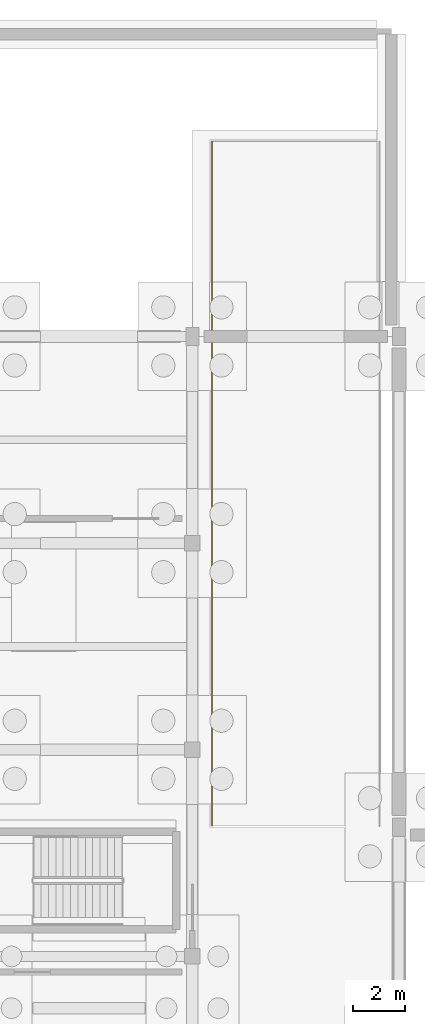
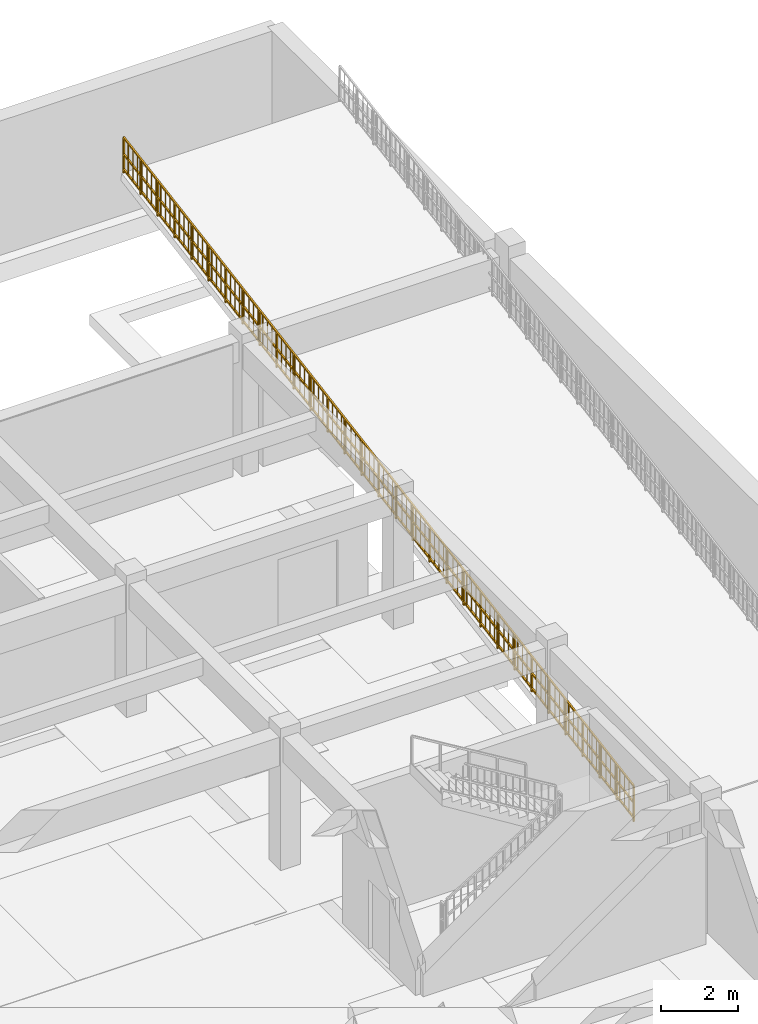
# One storey, part 9 of 11: 1 railing.
"""IFC4 building model written with IfcOpenShell, lengths in metres."""

from ifc_helpers import new_model, si_unit, direction, frame, origin, origin_2d, place, context, subcontext, project, spatial, rectangle, extrude, material, layer, layer_set, type_object, element, save


model = new_model("IFC4")

# Units and contexts
model_context = context("Model", 3, precision=1e-05, world=origin(), true_north=direction((0.0, 1.0)))
body_context = subcontext(model_context, "Body", "Model", "MODEL_VIEW")
ifc_project = project(units=[si_unit("LENGTHUNIT", "METRE"), si_unit("AREAUNIT", "SQUARE_METRE"), si_unit("VOLUMEUNIT", "CUBIC_METRE"), si_unit("PLANEANGLEUNIT", "RADIAN"), si_unit("MASSUNIT", "GRAM", prefix="KILO")], contexts=[model_context])

# Site, building, storey
site_placement = place(None, origin())
site = spatial("IfcSite", under=ifc_project, at=site_placement, CompositionType="ELEMENT")
building_placement = place(site_placement, origin())
building = spatial("IfcBuilding", under=site, at=building_placement, Name="Serraluz Foothill Cableway Terminal", CompositionType="ELEMENT")
storey_placement = place(building_placement, frame((0.0, 0.0, -4.5)))
storey = spatial("IfcBuildingStorey", under=building, at=storey_placement, Name="B1", CompositionType="ELEMENT", Elevation=-4.5)

# Railing
ifc_material = material(Name="Steel ASTM A572 Grade 50", Category="steel")
ifc_layer = layer(ifc_material, 0.054931640625, Name="Steel ASTM A572 Grade 50", Category="steel")
ifc_layer_set = layer_set([ifc_layer], Name="Steel ASTM A572 Grade 50")
railing_type = type_object("IfcRailingType", Name="TYP-RL-GRD-1150", PredefinedType="GUARDRAIL", material=ifc_layer_set)
railing_placement = place(storey_placement, frame((104.760009765625, 85.050048828125, 0.0)))
element("IfcRailing", 1, at=railing_placement, inside=storey, type_object=railing_type, Name="GUARDRAIL GRD-B1-RMP-W", PredefinedType="GUARDRAIL", context=body_context, shape_type="SweptSolid", body=[
    extrude(rectangle(XDim=0.048095703125, YDim=0.048095703125, at=origin_2d()), frame((0.0, 0.0, 1.1259765625), z_axis=(0.0, 0.985888544643, 0.167403039228), x_axis=(-1.0, 0.0, 0.0)), (0.0, 0.0, 1.0), 2.687744140625),
    extrude(rectangle(XDim=0.048095703125, YDim=0.048095703125, at=origin_2d()), frame((0.0, 0.0, 0.597900390625), z_axis=(0.0, 0.985888544643, 0.167403039228), x_axis=(-1.0, 0.0, 0.0)), (0.0, 0.0, 1.0), 2.687744140625),
    extrude(rectangle(XDim=0.048095703125, YDim=0.048095703125, at=origin_2d()), frame((0.0, 0.0, 0.1201171875), z_axis=(0.0, 0.985888544643, 0.167403039228), x_axis=(-1.0, 0.0, 0.0)), (0.0, 0.0, 1.0), 2.687744140625),
    extrude(rectangle(XDim=0.02001953125, YDim=0.02001953125, at=origin_2d()), frame((0.0, 0.240966796875, 0.160888671875)), (0.0, 0.0, 1.0), 0.981689453125),
    extrude(rectangle(XDim=0.02001953125, YDim=0.02001953125, at=origin_2d()), frame((0.0, 0.481689453125, 0.201904296875)), (0.0, 0.0, 1.0), 0.981689453125),
    extrude(rectangle(XDim=0.02001953125, YDim=0.02001953125, at=origin_2d()), frame((0.0, 0.72265625, 0.24267578125)), (0.0, 0.0, 1.0), 0.981689453125),
    extrude(rectangle(XDim=0.02001953125, YDim=0.02001953125, at=origin_2d()), frame((0.0, 0.963623046875, 0.28369140625)), (0.0, 0.0, 1.0), 0.981689453125),
    extrude(rectangle(XDim=0.02001953125, YDim=0.02001953125, at=origin_2d()), frame((0.0, 1.20458984375, 0.324462890625)), (0.0, 0.0, 1.0), 0.981689453125),
    extrude(rectangle(XDim=0.02001953125, YDim=0.02001953125, at=origin_2d()), frame((0.0, 1.4453125, 0.365478515625)), (0.0, 0.0, 1.0), 0.981689453125),
    extrude(rectangle(XDim=0.02001953125, YDim=0.02001953125, at=origin_2d()), frame((0.0, 1.686279296875, 0.40625)), (0.0, 0.0, 1.0), 0.981689453125),
    extrude(rectangle(XDim=0.02001953125, YDim=0.02001953125, at=origin_2d()), frame((0.0, 1.92724609375, 0.447265625)), (0.0, 0.0, 1.0), 0.981689453125),
    extrude(rectangle(XDim=0.02001953125, YDim=0.02001953125, at=origin_2d()), frame((0.0, 2.168212890625, 0.488037109375)), (0.0, 0.0, 1.0), 0.981689453125),
    extrude(rectangle(XDim=0.02001953125, YDim=0.02001953125, at=origin_2d()), frame((0.0, 2.408935546875, 0.529052734375)), (0.0, 0.0, 1.0), 0.981689453125),
    extrude(rectangle(XDim=0.048095703125, YDim=0.048095703125, at=origin_2d()), frame((0.0, 2.64990234375, 1.57568359375), z_axis=(0.0, 0.985891089751, 0.1673880496), x_axis=(-1.0, 0.0, 0.0)), (0.0, 0.0, 1.0), 2.68798828125),
    extrude(rectangle(XDim=0.048095703125, YDim=0.048095703125, at=origin_2d()), frame((0.0, 2.64990234375, 1.0478515625), z_axis=(0.0, 0.985891089751, 0.1673880496), x_axis=(-1.0, 0.0, 0.0)), (0.0, 0.0, 1.0), 2.68798828125),
    extrude(rectangle(XDim=0.048095703125, YDim=0.048095703125, at=origin_2d()), frame((0.0, 2.64990234375, 0.570068359375), z_axis=(0.0, 0.985891089751, 0.1673880496), x_axis=(-1.0, 0.0, 0.0)), (0.0, 0.0, 1.0), 2.68798828125),
    extrude(rectangle(XDim=0.02001953125, YDim=0.02001953125, at=origin_2d()), frame((0.0, 2.890869140625, 0.61083984375)), (0.0, 0.0, 1.0), 0.981689453125),
    extrude(rectangle(XDim=0.02001953125, YDim=0.02001953125, at=origin_2d()), frame((0.0, 3.1318359375, 0.65185546875)), (0.0, 0.0, 1.0), 0.981689453125),
    extrude(rectangle(XDim=0.02001953125, YDim=0.02001953125, at=origin_2d()), frame((0.0, 3.37255859375, 0.692626953125)), (0.0, 0.0, 1.0), 0.981689453125),
    extrude(rectangle(XDim=0.02001953125, YDim=0.02001953125, at=origin_2d()), frame((0.0, 3.613525390625, 0.733642578125)), (0.0, 0.0, 1.0), 0.981689453125),
    extrude(rectangle(XDim=0.02001953125, YDim=0.02001953125, at=origin_2d()), frame((0.0, 3.8544921875, 0.7744140625)), (0.0, 0.0, 1.0), 0.981689453125),
    extrude(rectangle(XDim=0.02001953125, YDim=0.02001953125, at=origin_2d()), frame((0.0, 4.095458984375, 0.8154296875)), (0.0, 0.0, 1.0), 0.981689453125),
    extrude(rectangle(XDim=0.02001953125, YDim=0.02001953125, at=origin_2d()), frame((0.0, 4.33642578125, 0.856201171875)), (0.0, 0.0, 1.0), 0.981689453125),
    extrude(rectangle(XDim=0.02001953125, YDim=0.02001953125, at=origin_2d()), frame((0.0, 4.577392578125, 0.897216796875)), (0.0, 0.0, 1.0), 0.981689453125),
    extrude(rectangle(XDim=0.02001953125, YDim=0.02001953125, at=origin_2d()), frame((0.0, 4.818115234375, 0.93798828125)), (0.0, 0.0, 1.0), 0.981689453125),
    extrude(rectangle(XDim=0.02001953125, YDim=0.02001953125, at=origin_2d()), frame((0.0, 5.05908203125, 0.97900390625)), (0.0, 0.0, 1.0), 0.981689453125),
    extrude(rectangle(XDim=0.048095703125, YDim=0.048095703125, at=origin_2d()), frame((0.0, 5.300048828125, 2.02587890625), z_axis=(0.0, 0.985873549967, 0.16749132358), x_axis=(-1.0, 0.0, 0.0)), (0.0, 0.0, 1.0), 2.68798828125),
    extrude(rectangle(XDim=0.048095703125, YDim=0.048095703125, at=origin_2d()), frame((0.0, 5.300048828125, 1.497802734375), z_axis=(0.0, 0.985873549967, 0.16749132358), x_axis=(-1.0, 0.0, 0.0)), (0.0, 0.0, 1.0), 2.68798828125),
    extrude(rectangle(XDim=0.048095703125, YDim=0.048095703125, at=origin_2d()), frame((0.0, 5.300048828125, 1.02001953125), z_axis=(0.0, 0.985873549967, 0.16749132358), x_axis=(-1.0, 0.0, 0.0)), (0.0, 0.0, 1.0), 2.68798828125),
    extrude(rectangle(XDim=0.02001953125, YDim=0.02001953125, at=origin_2d()), frame((0.0, 5.541015625, 1.060791015625)), (0.0, 0.0, 1.0), 0.981689453125),
    extrude(rectangle(XDim=0.02001953125, YDim=0.02001953125, at=origin_2d()), frame((0.0, 5.78173828125, 1.101806640625)), (0.0, 0.0, 1.0), 0.981689453125),
    extrude(rectangle(XDim=0.02001953125, YDim=0.02001953125, at=origin_2d()), frame((0.0, 6.022705078125, 1.142578125)), (0.0, 0.0, 1.0), 0.981689453125),
    extrude(rectangle(XDim=0.02001953125, YDim=0.02001953125, at=origin_2d()), frame((0.0, 6.263671875, 1.18359375)), (0.0, 0.0, 1.0), 0.981689453125),
    extrude(rectangle(XDim=0.02001953125, YDim=0.02001953125, at=origin_2d()), frame((0.0, 6.504638671875, 1.224609375)), (0.0, 0.0, 1.0), 0.981689453125),
    extrude(rectangle(XDim=0.02001953125, YDim=0.02001953125, at=origin_2d()), frame((0.0, 6.745361328125, 1.265380859375)), (0.0, 0.0, 1.0), 0.981689453125),
    extrude(rectangle(XDim=0.02001953125, YDim=0.02001953125, at=origin_2d()), frame((0.0, 6.986328125, 1.306396484375)), (0.0, 0.0, 1.0), 0.981689453125),
    extrude(rectangle(XDim=0.02001953125, YDim=0.02001953125, at=origin_2d()), frame((0.0, 7.227294921875, 1.347412109375)), (0.0, 0.0, 1.0), 0.981689453125),
    extrude(rectangle(XDim=0.02001953125, YDim=0.02001953125, at=origin_2d()), frame((0.0, 7.46826171875, 1.38818359375)), (0.0, 0.0, 1.0), 0.981689453125),
    extrude(rectangle(XDim=0.02001953125, YDim=0.02001953125, at=origin_2d()), frame((0.0, 7.708984375, 1.42919921875)), (0.0, 0.0, 1.0), 0.981689453125),
    extrude(rectangle(XDim=0.048095703125, YDim=0.048095703125, at=origin_2d()), frame((0.0, 7.949951171875, 2.47607421875), z_axis=(0.0, 0.985888544643, 0.167403039228), x_axis=(-1.0, 0.0, 0.0)), (0.0, 0.0, 1.0), 2.687744140625),
    extrude(rectangle(XDim=0.048095703125, YDim=0.048095703125, at=origin_2d()), frame((0.0, 7.949951171875, 1.947998046875), z_axis=(0.0, 0.985888544643, 0.167403039228), x_axis=(-1.0, 0.0, 0.0)), (0.0, 0.0, 1.0), 2.687744140625),
    extrude(rectangle(XDim=0.048095703125, YDim=0.048095703125, at=origin_2d()), frame((0.0, 7.949951171875, 1.47021484375), z_axis=(0.0, 0.985888544643, 0.167403039228), x_axis=(-1.0, 0.0, 0.0)), (0.0, 0.0, 1.0), 2.687744140625),
    extrude(rectangle(XDim=0.02001953125, YDim=0.02001953125, at=origin_2d()), frame((0.0, 8.19091796875, 1.510986328125)), (0.0, 0.0, 1.0), 0.981689453125),
    extrude(rectangle(XDim=0.02001953125, YDim=0.02001953125, at=origin_2d()), frame((0.0, 8.431640625, 1.552001953125)), (0.0, 0.0, 1.0), 0.981689453125),
    extrude(rectangle(XDim=0.02001953125, YDim=0.02001953125, at=origin_2d()), frame((0.0, 8.672607421875, 1.5927734375)), (0.0, 0.0, 1.0), 0.981689453125),
    extrude(rectangle(XDim=0.02001953125, YDim=0.02001953125, at=origin_2d()), frame((0.0, 8.91357421875, 1.6337890625)), (0.0, 0.0, 1.0), 0.981689453125),
    extrude(rectangle(XDim=0.02001953125, YDim=0.02001953125, at=origin_2d()), frame((0.0, 9.154541015625, 1.674560546875)), (0.0, 0.0, 1.0), 0.981689453125),
    extrude(rectangle(XDim=0.02001953125, YDim=0.02001953125, at=origin_2d()), frame((0.0, 9.395263671875, 1.715576171875)), (0.0, 0.0, 1.0), 0.981689453125),
    extrude(rectangle(XDim=0.02001953125, YDim=0.02001953125, at=origin_2d()), frame((0.0, 9.63623046875, 1.75634765625)), (0.0, 0.0, 1.0), 0.981689453125),
    extrude(rectangle(XDim=0.02001953125, YDim=0.02001953125, at=origin_2d()), frame((0.0, 9.877197265625, 1.79736328125)), (0.0, 0.0, 1.0), 0.981689453125),
    extrude(rectangle(XDim=0.02001953125, YDim=0.02001953125, at=origin_2d()), frame((0.0, 10.1181640625, 1.838134765625)), (0.0, 0.0, 1.0), 0.981689453125),
    extrude(rectangle(XDim=0.02001953125, YDim=0.02001953125, at=origin_2d()), frame((0.0, 10.35888671875, 1.879150390625)), (0.0, 0.0, 1.0), 0.981689453125),
    extrude(rectangle(XDim=0.048095703125, YDim=0.048095703125, at=origin_2d()), frame((0.0, 10.599853515625, 2.92578125), z_axis=(0.0, 0.985891089751, 0.1673880496), x_axis=(-1.0, 0.0, 0.0)), (0.0, 0.0, 1.0), 2.68798828125),
    extrude(rectangle(XDim=0.048095703125, YDim=0.048095703125, at=origin_2d()), frame((0.0, 10.599853515625, 2.39794921875), z_axis=(0.0, 0.985891089751, 0.1673880496), x_axis=(-1.0, 0.0, 0.0)), (0.0, 0.0, 1.0), 2.68798828125),
    extrude(rectangle(XDim=0.048095703125, YDim=0.048095703125, at=origin_2d()), frame((0.0, 10.599853515625, 1.920166015625), z_axis=(0.0, 0.985891089751, 0.1673880496), x_axis=(-1.0, 0.0, 0.0)), (0.0, 0.0, 1.0), 2.68798828125),
    extrude(rectangle(XDim=0.02001953125, YDim=0.02001953125, at=origin_2d()), frame((0.0, 10.8408203125, 1.9609375)), (0.0, 0.0, 1.0), 0.981689453125),
    extrude(rectangle(XDim=0.02001953125, YDim=0.02001953125, at=origin_2d()), frame((0.0, 11.081787109375, 2.001953125)), (0.0, 0.0, 1.0), 0.981689453125),
    extrude(rectangle(XDim=0.02001953125, YDim=0.02001953125, at=origin_2d()), frame((0.0, 11.322509765625, 2.042724609375)), (0.0, 0.0, 1.0), 0.981689453125),
    extrude(rectangle(XDim=0.02001953125, YDim=0.02001953125, at=origin_2d()), frame((0.0, 11.5634765625, 2.083740234375)), (0.0, 0.0, 1.0), 0.981689453125),
    extrude(rectangle(XDim=0.02001953125, YDim=0.02001953125, at=origin_2d()), frame((0.0, 11.804443359375, 2.12451171875)), (0.0, 0.0, 1.0), 0.981689453125),
    extrude(rectangle(XDim=0.02001953125, YDim=0.02001953125, at=origin_2d()), frame((0.0, 12.04541015625, 2.16552734375)), (0.0, 0.0, 1.0), 0.981689453125),
    extrude(rectangle(XDim=0.02001953125, YDim=0.02001953125, at=origin_2d()), frame((0.0, 12.286376953125, 2.206298828125)), (0.0, 0.0, 1.0), 0.981689453125),
    extrude(rectangle(XDim=0.02001953125, YDim=0.02001953125, at=origin_2d()), frame((0.0, 12.52734375, 2.247314453125)), (0.0, 0.0, 1.0), 0.981689453125),
    extrude(rectangle(XDim=0.02001953125, YDim=0.02001953125, at=origin_2d()), frame((0.0, 12.76806640625, 2.2880859375)), (0.0, 0.0, 1.0), 0.981689453125),
    extrude(rectangle(XDim=0.02001953125, YDim=0.02001953125, at=origin_2d()), frame((0.0, 13.009033203125, 2.3291015625)), (0.0, 0.0, 1.0), 0.981689453125),
    extrude(rectangle(XDim=0.048095703125, YDim=0.048095703125, at=origin_2d()), frame((0.0, 13.25, 3.3759765625), z_axis=(0.0, 0.985888544643, 0.167403039228), x_axis=(-1.0, 0.0, 0.0)), (0.0, 0.0, 1.0), 2.687744140625),
    extrude(rectangle(XDim=0.048095703125, YDim=0.048095703125, at=origin_2d()), frame((0.0, 13.25, 2.847900390625), z_axis=(0.0, 0.985888544643, 0.167403039228), x_axis=(-1.0, 0.0, 0.0)), (0.0, 0.0, 1.0), 2.687744140625),
    extrude(rectangle(XDim=0.048095703125, YDim=0.048095703125, at=origin_2d()), frame((0.0, 13.25, 2.3701171875), z_axis=(0.0, 0.985888544643, 0.167403039228), x_axis=(-1.0, 0.0, 0.0)), (0.0, 0.0, 1.0), 2.687744140625),
    extrude(rectangle(XDim=0.02001953125, YDim=0.02001953125, at=origin_2d()), frame((0.0, 13.490966796875, 2.410888671875)), (0.0, 0.0, 1.0), 0.981689453125),
    extrude(rectangle(XDim=0.02001953125, YDim=0.02001953125, at=origin_2d()), frame((0.0, 13.731689453125, 2.451904296875)), (0.0, 0.0, 1.0), 0.981689453125),
    extrude(rectangle(XDim=0.02001953125, YDim=0.02001953125, at=origin_2d()), frame((0.0, 13.97265625, 2.49267578125)), (0.0, 0.0, 1.0), 0.981689453125),
    extrude(rectangle(XDim=0.02001953125, YDim=0.02001953125, at=origin_2d()), frame((0.0, 14.213623046875, 2.53369140625)), (0.0, 0.0, 1.0), 0.981689453125),
    extrude(rectangle(XDim=0.02001953125, YDim=0.02001953125, at=origin_2d()), frame((0.0, 14.45458984375, 2.574462890625)), (0.0, 0.0, 1.0), 0.981689453125),
    extrude(rectangle(XDim=0.02001953125, YDim=0.02001953125, at=origin_2d()), frame((0.0, 14.6953125, 2.615478515625)), (0.0, 0.0, 1.0), 0.981689453125),
    extrude(rectangle(XDim=0.02001953125, YDim=0.02001953125, at=origin_2d()), frame((0.0, 14.936279296875, 2.65625)), (0.0, 0.0, 1.0), 0.981689453125),
    extrude(rectangle(XDim=0.02001953125, YDim=0.02001953125, at=origin_2d()), frame((0.0, 15.17724609375, 2.697265625)), (0.0, 0.0, 1.0), 0.981689453125),
    extrude(rectangle(XDim=0.02001953125, YDim=0.02001953125, at=origin_2d()), frame((0.0, 15.418212890625, 2.738037109375)), (0.0, 0.0, 1.0), 0.981689453125),
    extrude(rectangle(XDim=0.02001953125, YDim=0.02001953125, at=origin_2d()), frame((0.0, 15.658935546875, 2.779052734375)), (0.0, 0.0, 1.0), 0.981689453125),
    extrude(rectangle(XDim=0.048095703125, YDim=0.048095703125, at=origin_2d()), frame((0.0, 15.89990234375, 3.82568359375), z_axis=(0.0, 0.985891089751, 0.1673880496), x_axis=(-1.0, 0.0, 0.0)), (0.0, 0.0, 1.0), 2.68798828125),
    extrude(rectangle(XDim=0.048095703125, YDim=0.048095703125, at=origin_2d()), frame((0.0, 15.89990234375, 3.2978515625), z_axis=(0.0, 0.985891089751, 0.1673880496), x_axis=(-1.0, 0.0, 0.0)), (0.0, 0.0, 1.0), 2.68798828125),
    extrude(rectangle(XDim=0.048095703125, YDim=0.048095703125, at=origin_2d()), frame((0.0, 15.89990234375, 2.820068359375), z_axis=(0.0, 0.985891089751, 0.1673880496), x_axis=(-1.0, 0.0, 0.0)), (0.0, 0.0, 1.0), 2.68798828125),
    extrude(rectangle(XDim=0.02001953125, YDim=0.02001953125, at=origin_2d()), frame((0.0, 16.140869140625, 2.86083984375)), (0.0, 0.0, 1.0), 0.981689453125),
    extrude(rectangle(XDim=0.02001953125, YDim=0.02001953125, at=origin_2d()), frame((0.0, 16.3818359375, 2.90185546875)), (0.0, 0.0, 1.0), 0.981689453125),
    extrude(rectangle(XDim=0.02001953125, YDim=0.02001953125, at=origin_2d()), frame((0.0, 16.62255859375, 2.942626953125)), (0.0, 0.0, 1.0), 0.981689453125),
    extrude(rectangle(XDim=0.02001953125, YDim=0.02001953125, at=origin_2d()), frame((0.0, 16.863525390625, 2.983642578125)), (0.0, 0.0, 1.0), 0.981689453125),
    extrude(rectangle(XDim=0.02001953125, YDim=0.02001953125, at=origin_2d()), frame((0.0, 17.1044921875, 3.0244140625)), (0.0, 0.0, 1.0), 0.981689453125),
    extrude(rectangle(XDim=0.02001953125, YDim=0.02001953125, at=origin_2d()), frame((0.0, 17.345458984375, 3.0654296875)), (0.0, 0.0, 1.0), 0.981689453125),
    extrude(rectangle(XDim=0.02001953125, YDim=0.02001953125, at=origin_2d()), frame((0.0, 17.58642578125, 3.106201171875)), (0.0, 0.0, 1.0), 0.981689453125),
    extrude(rectangle(XDim=0.02001953125, YDim=0.02001953125, at=origin_2d()), frame((0.0, 17.827392578125, 3.147216796875)), (0.0, 0.0, 1.0), 0.981689453125),
    extrude(rectangle(XDim=0.02001953125, YDim=0.02001953125, at=origin_2d()), frame((0.0, 18.068115234375, 3.18798828125)), (0.0, 0.0, 1.0), 0.981689453125),
    extrude(rectangle(XDim=0.02001953125, YDim=0.02001953125, at=origin_2d()), frame((0.0, 18.30908203125, 3.22900390625)), (0.0, 0.0, 1.0), 0.981689453125),
    extrude(rectangle(XDim=0.048095703125, YDim=0.048095703125, at=origin_2d()), frame((0.0, 18.550048828125, 4.27587890625), z_axis=(0.0, 0.985873549967, 0.16749132358), x_axis=(-1.0, 0.0, 0.0)), (0.0, 0.0, 1.0), 2.68798828125),
    extrude(rectangle(XDim=0.048095703125, YDim=0.048095703125, at=origin_2d()), frame((0.0, 18.550048828125, 3.747802734375), z_axis=(0.0, 0.985873549967, 0.16749132358), x_axis=(-1.0, 0.0, 0.0)), (0.0, 0.0, 1.0), 2.68798828125),
    extrude(rectangle(XDim=0.048095703125, YDim=0.048095703125, at=origin_2d()), frame((0.0, 18.550048828125, 3.27001953125), z_axis=(0.0, 0.985873549967, 0.16749132358), x_axis=(-1.0, 0.0, 0.0)), (0.0, 0.0, 1.0), 2.68798828125),
    extrude(rectangle(XDim=0.02001953125, YDim=0.02001953125, at=origin_2d()), frame((0.0, 18.791015625, 3.310791015625)), (0.0, 0.0, 1.0), 0.981689453125),
    extrude(rectangle(XDim=0.02001953125, YDim=0.02001953125, at=origin_2d()), frame((0.0, 19.03173828125, 3.351806640625)), (0.0, 0.0, 1.0), 0.981689453125),
    extrude(rectangle(XDim=0.02001953125, YDim=0.02001953125, at=origin_2d()), frame((0.0, 19.272705078125, 3.392578125)), (0.0, 0.0, 1.0), 0.981689453125),
    extrude(rectangle(XDim=0.02001953125, YDim=0.02001953125, at=origin_2d()), frame((0.0, 19.513671875, 3.43359375)), (0.0, 0.0, 1.0), 0.981689453125),
    extrude(rectangle(XDim=0.02001953125, YDim=0.02001953125, at=origin_2d()), frame((0.0, 19.754638671875, 3.474609375)), (0.0, 0.0, 1.0), 0.981689453125),
    extrude(rectangle(XDim=0.02001953125, YDim=0.02001953125, at=origin_2d()), frame((0.0, 19.995361328125, 3.515380859375)), (0.0, 0.0, 1.0), 0.981689453125),
    extrude(rectangle(XDim=0.02001953125, YDim=0.02001953125, at=origin_2d()), frame((0.0, 20.236328125, 3.556396484375)), (0.0, 0.0, 1.0), 0.981689453125),
    extrude(rectangle(XDim=0.02001953125, YDim=0.02001953125, at=origin_2d()), frame((0.0, 20.477294921875, 3.597412109375)), (0.0, 0.0, 1.0), 0.981689453125),
    extrude(rectangle(XDim=0.02001953125, YDim=0.02001953125, at=origin_2d()), frame((0.0, 20.71826171875, 3.63818359375)), (0.0, 0.0, 1.0), 0.981689453125),
    extrude(rectangle(XDim=0.02001953125, YDim=0.02001953125, at=origin_2d()), frame((0.0, 20.958984375, 3.67919921875)), (0.0, 0.0, 1.0), 0.981689453125),
    extrude(rectangle(XDim=0.048095703125, YDim=0.048095703125, at=origin_2d()), frame((0.0, 21.199951171875, 4.72607421875), z_axis=(0.0, 0.985888544643, 0.167403039228), x_axis=(-1.0, 0.0, 0.0)), (0.0, 0.0, 1.0), 2.687744140625),
    extrude(rectangle(XDim=0.048095703125, YDim=0.048095703125, at=origin_2d()), frame((0.0, 21.199951171875, 4.197998046875), z_axis=(0.0, 0.985888544643, 0.167403039228), x_axis=(-1.0, 0.0, 0.0)), (0.0, 0.0, 1.0), 2.687744140625),
    extrude(rectangle(XDim=0.048095703125, YDim=0.048095703125, at=origin_2d()), frame((0.0, 21.199951171875, 3.72021484375), z_axis=(0.0, 0.985888544643, 0.167403039228), x_axis=(-1.0, 0.0, 0.0)), (0.0, 0.0, 1.0), 2.687744140625),
    extrude(rectangle(XDim=0.02001953125, YDim=0.02001953125, at=origin_2d()), frame((0.0, 21.44091796875, 3.760986328125)), (0.0, 0.0, 1.0), 0.981689453125),
    extrude(rectangle(XDim=0.02001953125, YDim=0.02001953125, at=origin_2d()), frame((0.0, 21.681640625, 3.802001953125)), (0.0, 0.0, 1.0), 0.981689453125),
    extrude(rectangle(XDim=0.02001953125, YDim=0.02001953125, at=origin_2d()), frame((0.0, 21.922607421875, 3.8427734375)), (0.0, 0.0, 1.0), 0.981689453125),
    extrude(rectangle(XDim=0.02001953125, YDim=0.02001953125, at=origin_2d()), frame((0.0, 22.16357421875, 3.8837890625)), (0.0, 0.0, 1.0), 0.981689453125),
    extrude(rectangle(XDim=0.02001953125, YDim=0.02001953125, at=origin_2d()), frame((0.0, 22.404541015625, 3.924560546875)), (0.0, 0.0, 1.0), 0.981689453125),
    extrude(rectangle(XDim=0.02001953125, YDim=0.02001953125, at=origin_2d()), frame((0.0, 22.645263671875, 3.965576171875)), (0.0, 0.0, 1.0), 0.981689453125),
    extrude(rectangle(XDim=0.02001953125, YDim=0.02001953125, at=origin_2d()), frame((0.0, 22.88623046875, 4.00634765625)), (0.0, 0.0, 1.0), 0.981689453125),
    extrude(rectangle(XDim=0.02001953125, YDim=0.02001953125, at=origin_2d()), frame((0.0, 23.127197265625, 4.04736328125)), (0.0, 0.0, 1.0), 0.981689453125),
    extrude(rectangle(XDim=0.02001953125, YDim=0.02001953125, at=origin_2d()), frame((0.0, 23.3681640625, 4.088134765625)), (0.0, 0.0, 1.0), 0.981689453125),
    extrude(rectangle(XDim=0.02001953125, YDim=0.02001953125, at=origin_2d()), frame((0.0, 23.60888671875, 4.129150390625)), (0.0, 0.0, 1.0), 0.981689453125),
    extrude(rectangle(XDim=0.048095703125, YDim=0.048095703125, at=origin_2d()), frame((0.0, 23.849853515625, 5.17578125), z_axis=(0.0, 0.985891089751, 0.1673880496), x_axis=(-1.0, 0.0, 0.0)), (0.0, 0.0, 1.0), 2.68798828125),
    extrude(rectangle(XDim=0.048095703125, YDim=0.048095703125, at=origin_2d()), frame((0.0, 23.849853515625, 4.64794921875), z_axis=(0.0, 0.985891089751, 0.1673880496), x_axis=(-1.0, 0.0, 0.0)), (0.0, 0.0, 1.0), 2.68798828125),
    extrude(rectangle(XDim=0.048095703125, YDim=0.048095703125, at=origin_2d()), frame((0.0, 23.849853515625, 4.170166015625), z_axis=(0.0, 0.985891089751, 0.1673880496), x_axis=(-1.0, 0.0, 0.0)), (0.0, 0.0, 1.0), 2.68798828125),
    extrude(rectangle(XDim=0.02001953125, YDim=0.02001953125, at=origin_2d()), frame((0.0, 24.0908203125, 4.2109375)), (0.0, 0.0, 1.0), 0.981689453125),
    extrude(rectangle(XDim=0.02001953125, YDim=0.02001953125, at=origin_2d()), frame((0.0, 24.331787109375, 4.251953125)), (0.0, 0.0, 1.0), 0.981689453125),
    extrude(rectangle(XDim=0.02001953125, YDim=0.02001953125, at=origin_2d()), frame((0.0, 24.572509765625, 4.292724609375)), (0.0, 0.0, 1.0), 0.981689453125),
    extrude(rectangle(XDim=0.02001953125, YDim=0.02001953125, at=origin_2d()), frame((0.0, 24.8134765625, 4.333740234375)), (0.0, 0.0, 1.0), 0.981689453125),
    extrude(rectangle(XDim=0.02001953125, YDim=0.02001953125, at=origin_2d()), frame((0.0, 25.054443359375, 4.37451171875)), (0.0, 0.0, 1.0), 0.981689453125),
    extrude(rectangle(XDim=0.02001953125, YDim=0.02001953125, at=origin_2d()), frame((0.0, 25.29541015625, 4.41552734375)), (0.0, 0.0, 1.0), 0.981689453125),
    extrude(rectangle(XDim=0.02001953125, YDim=0.02001953125, at=origin_2d()), frame((0.0, 25.536376953125, 4.456298828125)), (0.0, 0.0, 1.0), 0.981689453125),
    extrude(rectangle(XDim=0.02001953125, YDim=0.02001953125, at=origin_2d()), frame((0.0, 25.77734375, 4.497314453125)), (0.0, 0.0, 1.0), 0.981689453125),
    extrude(rectangle(XDim=0.02001953125, YDim=0.02001953125, at=origin_2d()), frame((0.0, 26.01806640625, 4.5380859375)), (0.0, 0.0, 1.0), 0.981689453125),
    extrude(rectangle(XDim=0.02001953125, YDim=0.02001953125, at=origin_2d()), frame((0.0, 26.259033203125, 4.5791015625)), (0.0, 0.0, 1.0), 0.981689453125),
    extrude(rectangle(XDim=0.0439453125, YDim=0.0439453125, at=origin_2d()), origin(), (0.0, 0.0, 1.0), 1.101806640625),
    extrude(rectangle(XDim=0.0439453125, YDim=0.0439453125, at=origin_2d()), frame((0.0, 0.88330078125, 0.14990234375)), (0.0, 0.0, 1.0), 1.101806640625),
    extrude(rectangle(XDim=0.0439453125, YDim=0.0439453125, at=origin_2d()), frame((0.0, 1.7666015625, 0.300048828125)), (0.0, 0.0, 1.0), 1.101806640625),
    extrude(rectangle(XDim=0.0439453125, YDim=0.0439453125, at=origin_2d()), frame((0.0, 2.64990234375, 0.449951171875)), (0.0, 0.0, 1.0), 1.101806640625),
    extrude(rectangle(XDim=0.0439453125, YDim=0.0439453125, at=origin_2d()), frame((0.0, 3.533203125, 0.599853515625)), (0.0, 0.0, 1.0), 1.101806640625),
    extrude(rectangle(XDim=0.0439453125, YDim=0.0439453125, at=origin_2d()), frame((0.0, 4.416748046875, 0.75)), (0.0, 0.0, 1.0), 1.101806640625),
    extrude(rectangle(XDim=0.0439453125, YDim=0.0439453125, at=origin_2d()), frame((0.0, 5.300048828125, 0.89990234375)), (0.0, 0.0, 1.0), 1.101806640625),
    extrude(rectangle(XDim=0.0439453125, YDim=0.0439453125, at=origin_2d()), frame((0.0, 6.183349609375, 1.050048828125)), (0.0, 0.0, 1.0), 1.101806640625),
    extrude(rectangle(XDim=0.0439453125, YDim=0.0439453125, at=origin_2d()), frame((0.0, 7.066650390625, 1.199951171875)), (0.0, 0.0, 1.0), 1.101806640625),
    extrude(rectangle(XDim=0.0439453125, YDim=0.0439453125, at=origin_2d()), frame((0.0, 7.949951171875, 1.35009765625)), (0.0, 0.0, 1.0), 1.101806640625),
    extrude(rectangle(XDim=0.0439453125, YDim=0.0439453125, at=origin_2d()), frame((0.0, 8.833251953125, 1.5)), (0.0, 0.0, 1.0), 1.101806640625),
    extrude(rectangle(XDim=0.0439453125, YDim=0.0439453125, at=origin_2d()), frame((0.0, 9.716552734375, 1.650146484375)), (0.0, 0.0, 1.0), 1.101806640625),
    extrude(rectangle(XDim=0.0439453125, YDim=0.0439453125, at=origin_2d()), frame((0.0, 10.599853515625, 1.800048828125)), (0.0, 0.0, 1.0), 1.101806640625),
    extrude(rectangle(XDim=0.0439453125, YDim=0.0439453125, at=origin_2d()), frame((0.0, 11.483154296875, 1.949951171875)), (0.0, 0.0, 1.0), 1.101806640625),
    extrude(rectangle(XDim=0.0439453125, YDim=0.0439453125, at=origin_2d()), frame((0.0, 12.36669921875, 2.10009765625)), (0.0, 0.0, 1.0), 1.101806640625),
    extrude(rectangle(XDim=0.0439453125, YDim=0.0439453125, at=origin_2d()), frame((0.0, 13.25, 2.25)), (0.0, 0.0, 1.0), 1.101806640625),
    extrude(rectangle(XDim=0.0439453125, YDim=0.0439453125, at=origin_2d()), frame((0.0, 14.13330078125, 2.39990234375)), (0.0, 0.0, 1.0), 1.101806640625),
    extrude(rectangle(XDim=0.0439453125, YDim=0.0439453125, at=origin_2d()), frame((0.0, 15.0166015625, 2.550048828125)), (0.0, 0.0, 1.0), 1.101806640625),
    extrude(rectangle(XDim=0.0439453125, YDim=0.0439453125, at=origin_2d()), frame((0.0, 15.89990234375, 2.699951171875)), (0.0, 0.0, 1.0), 1.101806640625),
    extrude(rectangle(XDim=0.0439453125, YDim=0.0439453125, at=origin_2d()), frame((0.0, 16.783203125, 2.849853515625)), (0.0, 0.0, 1.0), 1.101806640625),
    extrude(rectangle(XDim=0.0439453125, YDim=0.0439453125, at=origin_2d()), frame((0.0, 17.666748046875, 3.0)), (0.0, 0.0, 1.0), 1.101806640625),
    extrude(rectangle(XDim=0.0439453125, YDim=0.0439453125, at=origin_2d()), frame((0.0, 18.550048828125, 3.14990234375)), (0.0, 0.0, 1.0), 1.101806640625),
    extrude(rectangle(XDim=0.0439453125, YDim=0.0439453125, at=origin_2d()), frame((0.0, 19.433349609375, 3.300048828125)), (0.0, 0.0, 1.0), 1.101806640625),
    extrude(rectangle(XDim=0.0439453125, YDim=0.0439453125, at=origin_2d()), frame((0.0, 20.316650390625, 3.449951171875)), (0.0, 0.0, 1.0), 1.101806640625),
    extrude(rectangle(XDim=0.0439453125, YDim=0.0439453125, at=origin_2d()), frame((0.0, 21.199951171875, 3.60009765625)), (0.0, 0.0, 1.0), 1.101806640625),
    extrude(rectangle(XDim=0.0439453125, YDim=0.0439453125, at=origin_2d()), frame((0.0, 22.083251953125, 3.75)), (0.0, 0.0, 1.0), 1.101806640625),
    extrude(rectangle(XDim=0.0439453125, YDim=0.0439453125, at=origin_2d()), frame((0.0, 22.966552734375, 3.900146484375)), (0.0, 0.0, 1.0), 1.101806640625),
    extrude(rectangle(XDim=0.0439453125, YDim=0.0439453125, at=origin_2d()), frame((0.0, 23.849853515625, 4.050048828125)), (0.0, 0.0, 1.0), 1.101806640625),
    extrude(rectangle(XDim=0.0439453125, YDim=0.0439453125, at=origin_2d()), frame((0.0, 24.733154296875, 4.199951171875)), (0.0, 0.0, 1.0), 1.101806640625),
    extrude(rectangle(XDim=0.0439453125, YDim=0.0439453125, at=origin_2d()), frame((0.0, 25.61669921875, 4.35009765625)), (0.0, 0.0, 1.0), 1.101806640625),
    extrude(rectangle(XDim=0.0439453125, YDim=0.0439453125, at=origin_2d()), frame((0.0, 26.5, 4.5)), (0.0, 0.0, 1.0), 1.101806640625),
])

save(model, "model.ifc")
